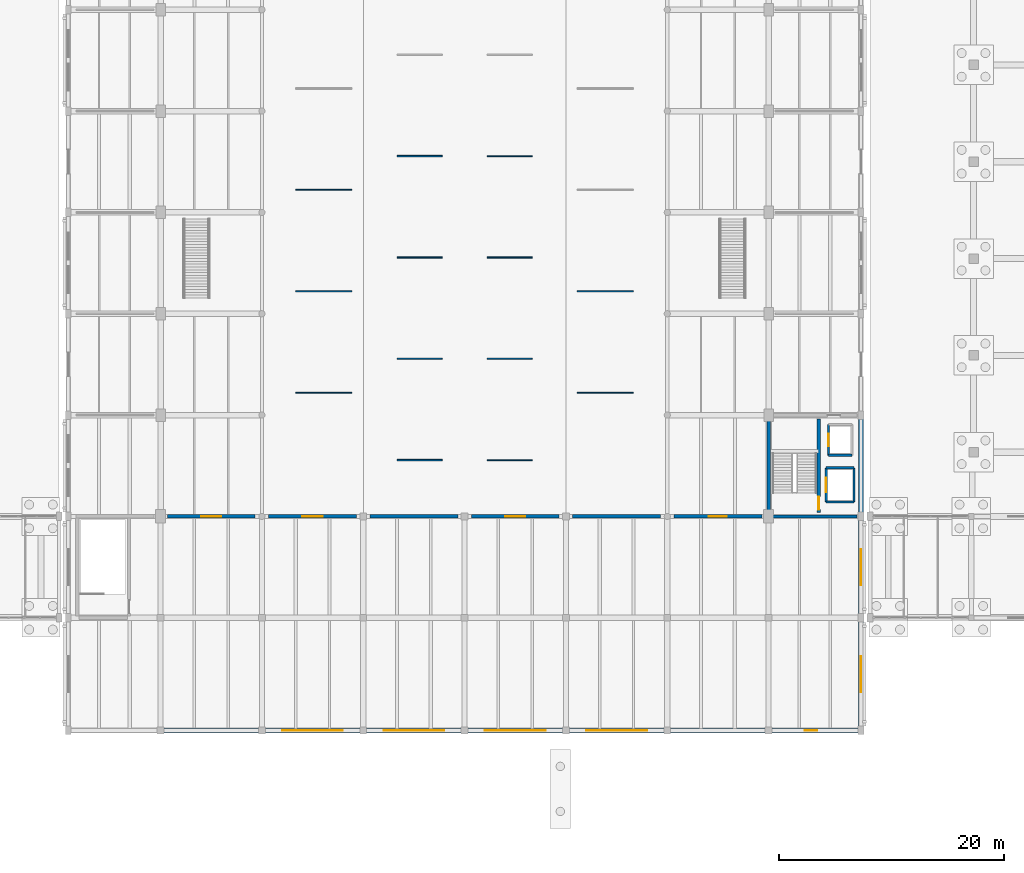
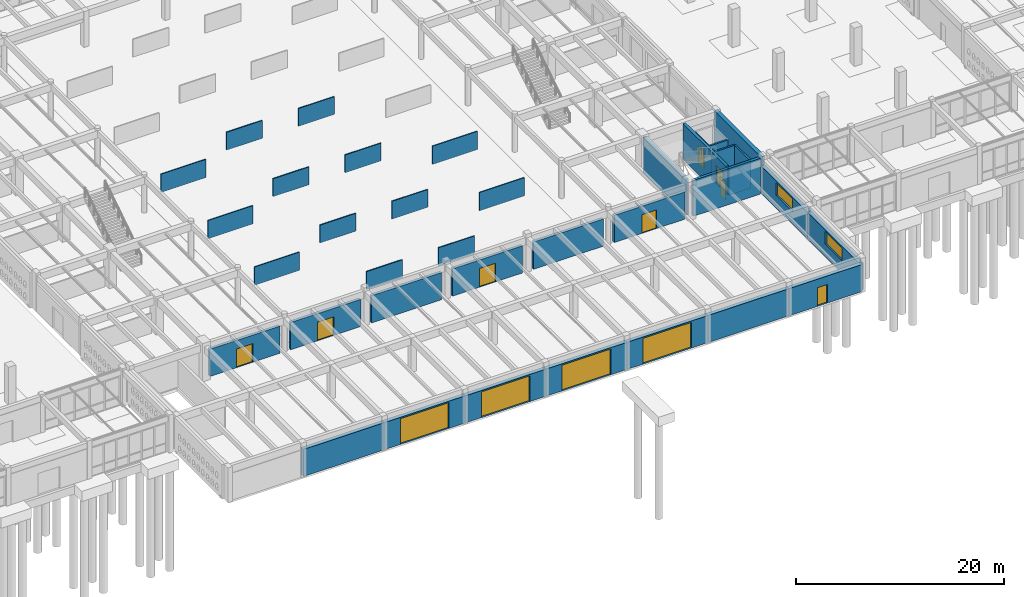
# One storey, part 161 of 186: 38 walls, 12 doors, 2 windows, 14 openings.
"""IFC4 building model written with IfcOpenShell, lengths in metres."""

from ifc_helpers import new_model, si_unit, direction, frame, frame_2d, origin, place, context, subcontext, project, spatial, rectangle, extrude, material, layer, layer_set, type_object, element, fill, save


model = new_model("IFC4")

# Units and contexts
model_context = context("Model", 3, precision=1e-05, world=origin(), true_north=direction((0.0, 1.0)))
body_context = subcontext(model_context, "Body", "Model", "MODEL_VIEW")
ifc_project = project(units=[si_unit("LENGTHUNIT", "METRE"), si_unit("AREAUNIT", "SQUARE_METRE"), si_unit("VOLUMEUNIT", "CUBIC_METRE"), si_unit("PLANEANGLEUNIT", "RADIAN"), si_unit("MASSUNIT", "GRAM", prefix="KILO")], contexts=[model_context])

# Site, building, storey
site_placement = place(None, origin())
site = spatial("IfcSite", under=ifc_project, at=site_placement, CompositionType="ELEMENT")
building_placement = place(site_placement, origin())
building = spatial("IfcBuilding", under=site, at=building_placement, Name="Ornek Quay Market", CompositionType="ELEMENT")
storey_placement = place(building_placement, origin())
storey = spatial("IfcBuildingStorey", under=building, at=storey_placement, Name="L00", CompositionType="ELEMENT", Elevation=0.0)

# Wall, opening, door
ifc_material_1 = material(Name="Concrete C40/50", Category="concrete")
ifc_layer_1 = layer(ifc_material_1, 0.300048828125, Name="Concrete C40/50", Category="concrete")
ifc_layer_set_1 = layer_set([ifc_layer_1], Name="Concrete C40/50")
wall_type_1 = type_object("IfcWallType", Name="WL-CORE-300", PredefinedType="SHEAR", material=ifc_layer_set_1)
wall_1_placement = place(storey_placement, frame((121.449951171875, 29.35009765625, 0.0), z_axis=(0.0, 0.0, 1.0), x_axis=(0.0, 1.0, 0.0)))
wall_1 = element("IfcWall", 1, at=wall_1_placement, inside=storey, type_object=wall_type_1, Name="Interior wall W-CORE1-086", PredefinedType="SHEAR", context=body_context, shape_type="SweptSolid", body=[
    extrude(rectangle(XDim=8.2998046875, YDim=0.300048828125, at=frame_2d((4.14990234375, 0.0))), origin(), (0.0, 0.0, 1.0), 4.219970703125),
])
opening_1_placement = place(wall_1_placement, frame((0.25, 0.0, 0.0)))
opening_1 = element("IfcOpeningElement", 2, at=opening_1_placement, cuts=wall_1, Name="Opening FD-03-034", PredefinedType="OPENING", context=body_context, shape_type="SweptSolid", body=[
    extrude(rectangle(XDim=1.14990234375, YDim=2.14990234375, at=frame_2d((0.574951171875, 1.074951171875))), frame((0.0, 0.159912109375, 0.0), z_axis=(0.0, -1.0, 0.0), x_axis=(1.0, 0.0, 0.0)), (0.0, 0.0, 1.0), 0.320068359375),
])
ifc_material_2 = material(Name="Insulated fire-rated painted steel", Category="steel")
door_type_1 = type_object("IfcDoorType", Name="DR-FIRE-STAIR-1150x2150", OperationType="NOTDEFINED", PredefinedType="DOOR", material=ifc_material_2)
door_1_placement = place(opening_1_placement, origin())
door_1 = element("IfcDoor", 3, at=door_1_placement, inside=storey, type_object=door_type_1, Name="Interior door FD-03-034", OperationType="SINGLE_SWING_LEFT", OverallHeight=2.14990234375, OverallWidth=1.14990234375, PredefinedType="DOOR", context=body_context, shape_type="SweptSolid", body=[
    extrude(rectangle(XDim=1.14990234375, YDim=2.14990234375, at=frame_2d((0.574951171875, 1.074951171875))), frame((0.0, 0.02490234375, 0.0), z_axis=(0.0, -1.0, 0.0), x_axis=(1.0, 0.0, 0.0)), (0.0, 0.0, 1.0), 0.050048828125),
])
fill(opening_1, door_1)

# Walls
wall_2_placement = place(storey_placement, frame((117.0, 29.35009765625, 0.0), z_axis=(0.0, 0.0, 1.0), x_axis=(0.0, 1.0, 0.0)))
element("IfcWall", 4, at=wall_2_placement, inside=storey, type_object=wall_type_1, Name="Interior wall W-CORE1-087", PredefinedType="SHEAR", context=body_context, shape_type="SweptSolid", body=[
    extrude(rectangle(XDim=8.2998046875, YDim=0.300048828125, at=frame_2d((4.14990234375, 0.0))), origin(), (0.0, 0.0, 1.0), 4.219970703125),
])
wall_3_placement = place(storey_placement, frame((117.35009765625, 29.0, 0.0), z_axis=(0.0, 0.0, 1.0), x_axis=(1.0, 0.0, 0.0)))
element("IfcWall", 5, at=wall_3_placement, inside=storey, type_object=wall_type_1, Name="Interior wall W-CORE1-088", PredefinedType="SHEAR", context=body_context, shape_type="SweptSolid", body=[
    extrude(rectangle(XDim=7.5, YDim=0.300048828125, at=frame_2d((3.75, 0.0))), origin(), (0.0, 0.0, 1.0), 4.219970703125),
])
ifc_material_3 = material(Name="Frost-resistant facing clay brick M200 F100", Category="masonry")
ifc_layer_2 = layer(ifc_material_3, 0.419921875, Name="Frost-resistant facing clay brick M200 F100", Category="masonry")
ifc_layer_set_2 = layer_set([ifc_layer_2], Name="Frost-resistant facing clay brick M200 F100")
wall_type_2 = type_object("IfcWallType", Name="WL-EXT-HALL-420", PredefinedType="STANDARD", material=ifc_layer_set_2)
wall_4_placement = place(storey_placement, frame((125.199951171875, 29.0, 0.0), z_axis=(0.0, 0.0, 1.0), x_axis=(0.0, 1.0, 0.0)))
element("IfcWall", 6, at=wall_4_placement, inside=storey, type_object=wall_type_2, Name="Exterior wall EW-120", PredefinedType="STANDARD", context=body_context, shape_type="SweptSolid", body=[
    extrude(rectangle(XDim=9.0, YDim=0.419921875, at=frame_2d((4.5, 0.0))), origin(), (0.0, 0.0, 1.0), 4.239990234375),
])
ifc_material_4 = material(Name="Granite-faced insulated concrete C35/45", Category="masonry")
ifc_layer_3 = layer(ifc_material_4, 0.43994140625, Name="Granite-faced insulated concrete C35/45", Category="masonry")
ifc_layer_set_3 = layer_set([ifc_layer_3], Name="Granite-faced insulated concrete C35/45")
wall_type_3 = type_object("IfcWallType", Name="WL-EXT-PLINTH-440", PredefinedType="STANDARD", material=ifc_layer_set_3)
wall_5_placement = place(storey_placement, frame((63.0, 10.0, 0.0), z_axis=(0.0, 0.0, 1.0), x_axis=(1.0, 0.0, 0.0)))
element("IfcWall", 7, at=wall_5_placement, inside=storey, type_object=wall_type_3, Name="Exterior wall EW-099", PredefinedType="STANDARD", context=body_context, shape_type="SweptSolid", body=[
    extrude(rectangle(XDim=9.0, YDim=0.43994140625, at=frame_2d((4.5, 0.0))), origin(), (0.0, 0.0, 1.0), 3.18994140625),
])

# Wall, opening, door
wall_6_placement = place(storey_placement, frame((72.0, 10.0, 0.0), z_axis=(0.0, 0.0, 1.0), x_axis=(1.0, 0.0, 0.0)))
wall_6 = element("IfcWall", 8, at=wall_6_placement, inside=storey, type_object=wall_type_3, Name="Exterior wall EW-100", PredefinedType="STANDARD", context=body_context, shape_type="SweptSolid", body=[
    extrude(rectangle(XDim=9.0, YDim=0.43994140625, at=frame_2d((4.5, 0.0))), origin(), (0.0, 0.0, 1.0), 3.18994140625),
])
opening_2_placement = place(wall_6_placement, frame((1.800048828125, 0.0, 0.0)))
opening_2 = element("IfcOpeningElement", 9, at=opening_2_placement, cuts=wall_6, Name="Opening SD-02-023", PredefinedType="OPENING", context=body_context, shape_type="SweptSolid", body=[
    extrude(rectangle(XDim=5.39990234375, YDim=3.030029296875, at=frame_2d((2.699951171875, 1.51513671875))), frame((0.0, 0.22998046875, 0.0), z_axis=(0.0, -1.0, 0.0), x_axis=(1.0, 0.0, 0.0)), (0.0, 0.0, 1.0), 0.4599609375),
])
ifc_material_5 = material(Name="Insulated high-speed vehicle portal gate", Category="other")
door_type_2 = type_object("IfcDoorType", Name="DR-GATE-RAMP-5400x3600", OperationType="ROLLINGUP", PredefinedType="GATE", material=ifc_material_5)
door_2_placement = place(opening_2_placement, origin())
door_2 = element("IfcDoor", 10, at=door_2_placement, inside=storey, type_object=door_type_2, Name="Exterior door SD-02-023", OperationType="ROLLINGUP", OverallHeight=3.030029296875, OverallWidth=5.39990234375, PredefinedType="GATE", context=body_context, shape_type="SweptSolid", body=[
    extrude(rectangle(XDim=5.39990234375, YDim=3.030029296875, at=frame_2d((2.699951171875, 1.51513671875))), frame((0.0, 0.02490234375, 0.0), z_axis=(0.0, -1.0, 0.0), x_axis=(1.0, 0.0, 0.0)), (0.0, 0.0, 1.0), 0.050048828125),
])
fill(opening_2, door_2)

wall_7_placement = place(storey_placement, frame((81.0, 10.0, 0.0), z_axis=(0.0, 0.0, 1.0), x_axis=(1.0, 0.0, 0.0)))
wall_7 = element("IfcWall", 11, at=wall_7_placement, inside=storey, type_object=wall_type_3, Name="Exterior wall EW-101", PredefinedType="STANDARD", context=body_context, shape_type="SweptSolid", body=[
    extrude(rectangle(XDim=9.0, YDim=0.43994140625, at=frame_2d((4.5, 0.0))), origin(), (0.0, 0.0, 1.0), 3.18994140625),
])
opening_3_placement = place(wall_7_placement, frame((1.800048828125, 0.0, 0.0)))
opening_3 = element("IfcOpeningElement", 12, at=opening_3_placement, cuts=wall_7, Name="Opening SD-02-024", PredefinedType="OPENING", context=body_context, shape_type="SweptSolid", body=[
    extrude(rectangle(XDim=5.39990234375, YDim=3.030029296875, at=frame_2d((2.699951171875, 1.51513671875))), frame((0.0, 0.22998046875, 0.0), z_axis=(0.0, -1.0, 0.0), x_axis=(1.0, 0.0, 0.0)), (0.0, 0.0, 1.0), 0.4599609375),
])
door_3_placement = place(opening_3_placement, origin())
door_3 = element("IfcDoor", 13, at=door_3_placement, inside=storey, type_object=door_type_2, Name="Exterior door SD-02-024", OperationType="ROLLINGUP", OverallHeight=3.030029296875, OverallWidth=5.39990234375, PredefinedType="GATE", context=body_context, shape_type="SweptSolid", body=[
    extrude(rectangle(XDim=5.39990234375, YDim=3.030029296875, at=frame_2d((2.699951171875, 1.51513671875))), frame((0.0, 0.02490234375, 0.0), z_axis=(0.0, -1.0, 0.0), x_axis=(1.0, 0.0, 0.0)), (0.0, 0.0, 1.0), 0.050048828125),
])
fill(opening_3, door_3)

wall_8_placement = place(storey_placement, frame((90.0, 10.0, 0.0), z_axis=(0.0, 0.0, 1.0), x_axis=(1.0, 0.0, 0.0)))
wall_8 = element("IfcWall", 14, at=wall_8_placement, inside=storey, type_object=wall_type_3, Name="Exterior wall EW-102", PredefinedType="STANDARD", context=body_context, shape_type="SweptSolid", body=[
    extrude(rectangle(XDim=9.0, YDim=0.43994140625, at=frame_2d((4.5, 0.0))), origin(), (0.0, 0.0, 1.0), 3.18994140625),
])
opening_4_placement = place(wall_8_placement, frame((1.800048828125, 0.0, 0.0)))
opening_4 = element("IfcOpeningElement", 15, at=opening_4_placement, cuts=wall_8, Name="Opening SD-02-025", PredefinedType="OPENING", context=body_context, shape_type="SweptSolid", body=[
    extrude(rectangle(XDim=5.39990234375, YDim=3.030029296875, at=frame_2d((2.699951171875, 1.51513671875))), frame((0.0, 0.22998046875, 0.0), z_axis=(0.0, -1.0, 0.0), x_axis=(1.0, 0.0, 0.0)), (0.0, 0.0, 1.0), 0.4599609375),
])
door_4_placement = place(opening_4_placement, origin())
door_4 = element("IfcDoor", 16, at=door_4_placement, inside=storey, type_object=door_type_2, Name="Exterior door SD-02-025", OperationType="ROLLINGUP", OverallHeight=3.030029296875, OverallWidth=5.39990234375, PredefinedType="GATE", context=body_context, shape_type="SweptSolid", body=[
    extrude(rectangle(XDim=5.39990234375, YDim=3.030029296875, at=frame_2d((2.699951171875, 1.51513671875))), frame((0.0, 0.02490234375, 0.0), z_axis=(0.0, -1.0, 0.0), x_axis=(1.0, 0.0, 0.0)), (0.0, 0.0, 1.0), 0.050048828125),
])
fill(opening_4, door_4)

wall_9_placement = place(storey_placement, frame((99.0, 10.0, 0.0), z_axis=(0.0, 0.0, 1.0), x_axis=(1.0, 0.0, 0.0)))
wall_9 = element("IfcWall", 17, at=wall_9_placement, inside=storey, type_object=wall_type_3, Name="Exterior wall EW-103", PredefinedType="STANDARD", context=body_context, shape_type="SweptSolid", body=[
    extrude(rectangle(XDim=9.0, YDim=0.43994140625, at=frame_2d((4.5, 0.0))), origin(), (0.0, 0.0, 1.0), 3.18994140625),
])
opening_5_placement = place(wall_9_placement, frame((1.800048828125, 0.0, 0.0)))
opening_5 = element("IfcOpeningElement", 18, at=opening_5_placement, cuts=wall_9, Name="Opening SD-02-026", PredefinedType="OPENING", context=body_context, shape_type="SweptSolid", body=[
    extrude(rectangle(XDim=5.39990234375, YDim=3.030029296875, at=frame_2d((2.699951171875, 1.51513671875))), frame((0.0, 0.22998046875, 0.0), z_axis=(0.0, -1.0, 0.0), x_axis=(1.0, 0.0, 0.0)), (0.0, 0.0, 1.0), 0.4599609375),
])
door_5_placement = place(opening_5_placement, origin())
door_5 = element("IfcDoor", 19, at=door_5_placement, inside=storey, type_object=door_type_2, Name="Exterior door SD-02-026", OperationType="ROLLINGUP", OverallHeight=3.030029296875, OverallWidth=5.39990234375, PredefinedType="GATE", context=body_context, shape_type="SweptSolid", body=[
    extrude(rectangle(XDim=5.39990234375, YDim=3.030029296875, at=frame_2d((2.699951171875, 1.51513671875))), frame((0.0, 0.02490234375, 0.0), z_axis=(0.0, -1.0, 0.0), x_axis=(1.0, 0.0, 0.0)), (0.0, 0.0, 1.0), 0.050048828125),
])
fill(opening_5, door_5)

# Wall
wall_10_placement = place(storey_placement, frame((108.0, 10.0, 0.0), z_axis=(0.0, 0.0, 1.0), x_axis=(1.0, 0.0, 0.0)))
element("IfcWall", 20, at=wall_10_placement, inside=storey, type_object=wall_type_3, Name="Exterior wall EW-104", PredefinedType="STANDARD", context=body_context, shape_type="SweptSolid", body=[
    extrude(rectangle(XDim=9.0, YDim=0.43994140625, at=frame_2d((4.5, 0.0))), origin(), (0.0, 0.0, 1.0), 3.18994140625),
])

# Wall, opening, door
wall_11_placement = place(storey_placement, frame((117.0, 10.0, 0.0), z_axis=(0.0, 0.0, 1.0), x_axis=(1.0, 0.0, 0.0)))
wall_11 = element("IfcWall", 21, at=wall_11_placement, inside=storey, type_object=wall_type_3, Name="Exterior wall EW-105", PredefinedType="STANDARD", context=body_context, shape_type="SweptSolid", body=[
    extrude(rectangle(XDim=8.199951171875, YDim=0.43994140625, at=frame_2d((4.10009765625, 0.0))), origin(), (0.0, 0.0, 1.0), 3.18994140625),
])
opening_6_placement = place(wall_11_placement, frame((3.199951171875, 0.0, 0.0)))
opening_6 = element("IfcOpeningElement", 22, at=opening_6_placement, cuts=wall_11, Name="Opening ED-05-027", PredefinedType="OPENING", context=body_context, shape_type="SweptSolid", body=[
    extrude(rectangle(XDim=1.10009765625, YDim=2.199951171875, at=frame_2d((0.550048828125, 1.10009765625))), frame((0.0, 0.22998046875, 0.0), z_axis=(0.0, -1.0, 0.0), x_axis=(1.0, 0.0, 0.0)), (0.0, 0.0, 1.0), 0.4599609375),
])
ifc_material_6 = material(Name="Insulated painted steel", Category="steel")
door_type_3 = type_object("IfcDoorType", Name="DR-EXT-SGL-1100x2200", OperationType="NOTDEFINED", PredefinedType="DOOR", material=ifc_material_6)
door_6_placement = place(opening_6_placement, origin())
door_6 = element("IfcDoor", 23, at=door_6_placement, inside=storey, type_object=door_type_3, Name="Exterior door ED-05-027", OperationType="SINGLE_SWING_RIGHT", OverallHeight=2.199951171875, OverallWidth=1.10009765625, PredefinedType="DOOR", context=body_context, shape_type="SweptSolid", body=[
    extrude(rectangle(XDim=1.10009765625, YDim=2.199951171875, at=frame_2d((0.550048828125, 1.10009765625))), frame((0.0, 0.02490234375, 0.0), z_axis=(0.0, -1.0, 0.0), x_axis=(1.0, 0.0, 0.0)), (0.0, 0.0, 1.0), 0.050048828125),
])
fill(opening_6, door_6)

# Wall, opening, window
wall_12_placement = place(storey_placement, frame((125.199951171875, 10.0, 0.0), z_axis=(0.0, 0.0, 1.0), x_axis=(0.0, 1.0, 0.0)))
wall_12 = element("IfcWall", 24, at=wall_12_placement, inside=storey, type_object=wall_type_3, Name="Exterior wall EW-108", PredefinedType="STANDARD", context=body_context, shape_type="SweptSolid", body=[
    extrude(rectangle(XDim=10.0, YDim=0.43994140625, at=frame_2d((5.0, 0.0))), origin(), (0.0, 0.0, 1.0), 3.18994140625),
])
opening_7_placement = place(wall_12_placement, frame((3.39990234375, 0.0, 1.5)))
opening_7 = element("IfcOpeningElement", 25, at=opening_7_placement, cuts=wall_12, Name="Opening W-03-068", PredefinedType="OPENING", context=body_context, shape_type="SweptSolid", body=[
    extrude(rectangle(XDim=3.199951171875, YDim=1.5, at=frame_2d((1.60009765625, 0.75))), frame((0.0, 0.22998046875, 0.0), z_axis=(0.0, -1.0, 0.0), x_axis=(1.0, 0.0, 0.0)), (0.0, 0.0, 1.0), 0.4599609375),
])
ifc_material_7 = material(Name="Thermally broken bronze aluminium and triple low-e glass", Category="aluminium")
window_type = type_object("IfcWindowType", Name="WN-CLER-3200x1500", PartitioningType="TRIPLE_PANEL_VERTICAL", PredefinedType="WINDOW", material=ifc_material_7)
window_1_placement = place(opening_7_placement, origin())
window_1 = element("IfcWindow", 26, at=window_1_placement, inside=storey, type_object=window_type, Name="Window W-03-068", OverallHeight=1.5, OverallWidth=3.199951171875, PartitioningType="SINGLE_PANEL", PredefinedType="WINDOW", context=body_context, shape_type="SweptSolid", body=[
    extrude(rectangle(XDim=3.199951171875, YDim=1.5, at=frame_2d((1.60009765625, 0.75))), frame((0.0, 0.030029296875, 0.0), z_axis=(0.0, -1.0, 0.0), x_axis=(1.0, 0.0, 0.0)), (0.0, 0.0, 1.0), 0.06005859375),
])
fill(opening_7, window_1)

wall_13_placement = place(storey_placement, frame((125.199951171875, 20.0, 0.0), z_axis=(0.0, 0.0, 1.0), x_axis=(0.0, 1.0, 0.0)))
wall_13 = element("IfcWall", 27, at=wall_13_placement, inside=storey, type_object=wall_type_3, Name="Exterior wall EW-109", PredefinedType="STANDARD", context=body_context, shape_type="SweptSolid", body=[
    extrude(rectangle(XDim=9.0, YDim=0.43994140625, at=frame_2d((4.5, 0.0))), origin(), (0.0, 0.0, 1.0), 3.18994140625),
])
opening_8_placement = place(wall_13_placement, frame((2.89990234375, 0.0, 1.5)))
opening_8 = element("IfcOpeningElement", 28, at=opening_8_placement, cuts=wall_13, Name="Opening W-03-069", PredefinedType="OPENING", context=body_context, shape_type="SweptSolid", body=[
    extrude(rectangle(XDim=3.199951171875, YDim=1.5, at=frame_2d((1.60009765625, 0.75))), frame((0.0, 0.22998046875, 0.0), z_axis=(0.0, -1.0, 0.0), x_axis=(1.0, 0.0, 0.0)), (0.0, 0.0, 1.0), 0.4599609375),
])
window_2_placement = place(opening_8_placement, origin())
window_2 = element("IfcWindow", 29, at=window_2_placement, inside=storey, type_object=window_type, Name="Window W-03-069", OverallHeight=1.5, OverallWidth=3.199951171875, PartitioningType="SINGLE_PANEL", PredefinedType="WINDOW", context=body_context, shape_type="SweptSolid", body=[
    extrude(rectangle(XDim=3.199951171875, YDim=1.5, at=frame_2d((1.60009765625, 0.75))), frame((0.0, 0.030029296875, 0.0), z_axis=(0.0, -1.0, 0.0), x_axis=(1.0, 0.0, 0.0)), (0.0, 0.0, 1.0), 0.06005859375),
])
fill(opening_8, window_2)

# Wall, opening, door
ifc_layer_4 = layer(ifc_material_1, 0.320068359375, Name="Concrete C40/50", Category="concrete")
ifc_layer_set_4 = layer_set([ifc_layer_4], Name="Concrete C40/50")
wall_type_4 = type_object("IfcWallType", Name="WL-FIRE-320", PredefinedType="SOLIDWALL", material=ifc_layer_set_4)
wall_14_placement = place(storey_placement, frame((63.60009765625, 29.0, 0.0), z_axis=(0.0, 0.0, 1.0), x_axis=(1.0, 0.0, 0.0)))
wall_14 = element("IfcWall", 30, at=wall_14_placement, inside=storey, type_object=wall_type_4, Name="Interior wall W-FIRE1-267", PredefinedType="SOLIDWALL", context=body_context, shape_type="SweptSolid", body=[
    extrude(rectangle(XDim=7.7998046875, YDim=0.320068359375, at=frame_2d((3.89990234375, 0.0))), origin(), (0.0, 0.0, 1.0), 3.199951171875),
])
opening_9_placement = place(wall_14_placement, frame((3.0, 0.0, 0.0)))
opening_9 = element("IfcOpeningElement", 31, at=opening_9_placement, cuts=wall_14, Name="Opening FD-01-123", PredefinedType="OPENING", context=body_context, shape_type="SweptSolid", body=[
    extrude(rectangle(XDim=1.800048828125, YDim=2.199951171875, at=frame_2d((0.89990234375, 1.10009765625))), frame((0.0, 0.169921875, 0.0), z_axis=(0.0, -1.0, 0.0), x_axis=(1.0, 0.0, 0.0)), (0.0, 0.0, 1.0), 0.340087890625),
])
door_type_4 = type_object("IfcDoorType", Name="DR-FIRE-DBL-1800x2200", OperationType="DOUBLE_DOOR_SINGLE_SWING", PredefinedType="DOOR", material=ifc_material_2)
door_7_placement = place(opening_9_placement, origin())
door_7 = element("IfcDoor", 32, at=door_7_placement, inside=storey, type_object=door_type_4, Name="Interior door FD-01-123", OperationType="DOUBLE_DOOR_SINGLE_SWING", OverallHeight=2.199951171875, OverallWidth=1.800048828125, PredefinedType="DOOR", context=body_context, shape_type="SweptSolid", body=[
    extrude(rectangle(XDim=1.800048828125, YDim=2.199951171875, at=frame_2d((0.89990234375, 1.10009765625))), frame((0.0, 0.02490234375, 0.0), z_axis=(0.0, -1.0, 0.0), x_axis=(1.0, 0.0, 0.0)), (0.0, 0.0, 1.0), 0.050048828125),
])
fill(opening_9, door_7)

wall_15_placement = place(storey_placement, frame((72.60009765625, 29.0, 0.0), z_axis=(0.0, 0.0, 1.0), x_axis=(1.0, 0.0, 0.0)))
wall_15 = element("IfcWall", 33, at=wall_15_placement, inside=storey, type_object=wall_type_4, Name="Interior wall W-FIRE1-268", PredefinedType="SOLIDWALL", context=body_context, shape_type="SweptSolid", body=[
    extrude(rectangle(XDim=7.7998046875, YDim=0.320068359375, at=frame_2d((3.89990234375, 0.0))), origin(), (0.0, 0.0, 1.0), 3.199951171875),
])
opening_10_placement = place(wall_15_placement, frame((3.0, 0.0, 0.0)))
opening_10 = element("IfcOpeningElement", 34, at=opening_10_placement, cuts=wall_15, Name="Opening FD-01-124", PredefinedType="OPENING", context=body_context, shape_type="SweptSolid", body=[
    extrude(rectangle(XDim=1.800048828125, YDim=2.199951171875, at=frame_2d((0.89990234375, 1.10009765625))), frame((0.0, 0.169921875, 0.0), z_axis=(0.0, -1.0, 0.0), x_axis=(1.0, 0.0, 0.0)), (0.0, 0.0, 1.0), 0.340087890625),
])
door_8_placement = place(opening_10_placement, origin())
door_8 = element("IfcDoor", 35, at=door_8_placement, inside=storey, type_object=door_type_4, Name="Interior door FD-01-124", OperationType="DOUBLE_DOOR_SINGLE_SWING", OverallHeight=2.199951171875, OverallWidth=1.800048828125, PredefinedType="DOOR", context=body_context, shape_type="SweptSolid", body=[
    extrude(rectangle(XDim=1.800048828125, YDim=2.199951171875, at=frame_2d((0.89990234375, 1.10009765625))), frame((0.0, 0.02490234375, 0.0), z_axis=(0.0, -1.0, 0.0), x_axis=(1.0, 0.0, 0.0)), (0.0, 0.0, 1.0), 0.050048828125),
])
fill(opening_10, door_8)

# Wall
wall_16_placement = place(storey_placement, frame((81.60009765625, 29.0, 0.0), z_axis=(0.0, 0.0, 1.0), x_axis=(1.0, 0.0, 0.0)))
element("IfcWall", 36, at=wall_16_placement, inside=storey, type_object=wall_type_4, Name="Interior wall W-FIRE1-269", PredefinedType="SOLIDWALL", context=body_context, shape_type="SweptSolid", body=[
    extrude(rectangle(XDim=7.7998046875, YDim=0.320068359375, at=frame_2d((3.89990234375, 0.0))), origin(), (0.0, 0.0, 1.0), 3.199951171875),
])

# Wall, opening, door
wall_17_placement = place(storey_placement, frame((90.60009765625, 29.0, 0.0), z_axis=(0.0, 0.0, 1.0), x_axis=(1.0, 0.0, 0.0)))
wall_17 = element("IfcWall", 37, at=wall_17_placement, inside=storey, type_object=wall_type_4, Name="Interior wall W-FIRE1-270", PredefinedType="SOLIDWALL", context=body_context, shape_type="SweptSolid", body=[
    extrude(rectangle(XDim=7.7998046875, YDim=0.320068359375, at=frame_2d((3.89990234375, 0.0))), origin(), (0.0, 0.0, 1.0), 3.199951171875),
])
opening_11_placement = place(wall_17_placement, frame((3.0, 0.0, 0.0)))
opening_11 = element("IfcOpeningElement", 38, at=opening_11_placement, cuts=wall_17, Name="Opening FD-01-125", PredefinedType="OPENING", context=body_context, shape_type="SweptSolid", body=[
    extrude(rectangle(XDim=1.800048828125, YDim=2.199951171875, at=frame_2d((0.89990234375, 1.10009765625))), frame((0.0, 0.169921875, 0.0), z_axis=(0.0, -1.0, 0.0), x_axis=(1.0, 0.0, 0.0)), (0.0, 0.0, 1.0), 0.340087890625),
])
door_9_placement = place(opening_11_placement, origin())
door_9 = element("IfcDoor", 39, at=door_9_placement, inside=storey, type_object=door_type_4, Name="Interior door FD-01-125", OperationType="DOUBLE_DOOR_SINGLE_SWING", OverallHeight=2.199951171875, OverallWidth=1.800048828125, PredefinedType="DOOR", context=body_context, shape_type="SweptSolid", body=[
    extrude(rectangle(XDim=1.800048828125, YDim=2.199951171875, at=frame_2d((0.89990234375, 1.10009765625))), frame((0.0, 0.02490234375, 0.0), z_axis=(0.0, -1.0, 0.0), x_axis=(1.0, 0.0, 0.0)), (0.0, 0.0, 1.0), 0.050048828125),
])
fill(opening_11, door_9)

# Wall
wall_18_placement = place(storey_placement, frame((99.60009765625, 29.0, 0.0), z_axis=(0.0, 0.0, 1.0), x_axis=(1.0, 0.0, 0.0)))
element("IfcWall", 40, at=wall_18_placement, inside=storey, type_object=wall_type_4, Name="Interior wall W-FIRE1-271", PredefinedType="SOLIDWALL", context=body_context, shape_type="SweptSolid", body=[
    extrude(rectangle(XDim=7.7998046875, YDim=0.320068359375, at=frame_2d((3.89990234375, 0.0))), origin(), (0.0, 0.0, 1.0), 3.199951171875),
])

# Wall, opening, door
wall_19_placement = place(storey_placement, frame((108.60009765625, 29.0, 0.0), z_axis=(0.0, 0.0, 1.0), x_axis=(1.0, 0.0, 0.0)))
wall_19 = element("IfcWall", 41, at=wall_19_placement, inside=storey, type_object=wall_type_4, Name="Interior wall W-FIRE1-272", PredefinedType="SOLIDWALL", context=body_context, shape_type="SweptSolid", body=[
    extrude(rectangle(XDim=7.7998046875, YDim=0.320068359375, at=frame_2d((3.89990234375, 0.0))), origin(), (0.0, 0.0, 1.0), 3.199951171875),
])
opening_12_placement = place(wall_19_placement, frame((3.10009765625, 0.0, 0.0)))
opening_12 = element("IfcOpeningElement", 42, at=opening_12_placement, cuts=wall_19, Name="Opening FD-02-126", PredefinedType="OPENING", context=body_context, shape_type="SweptSolid", body=[
    extrude(rectangle(XDim=1.60009765625, YDim=2.199951171875, at=frame_2d((0.800048828125, 1.10009765625))), frame((0.0, 0.169921875, 0.0), z_axis=(0.0, -1.0, 0.0), x_axis=(1.0, 0.0, 0.0)), (0.0, 0.0, 1.0), 0.340087890625),
])
door_type_5 = type_object("IfcDoorType", Name="DR-FIRE-DBL-1600x2200", OperationType="DOUBLE_DOOR_SINGLE_SWING", PredefinedType="DOOR", material=ifc_material_2)
door_10_placement = place(opening_12_placement, origin())
door_10 = element("IfcDoor", 43, at=door_10_placement, inside=storey, type_object=door_type_5, Name="Interior door FD-02-126", OperationType="DOUBLE_DOOR_SINGLE_SWING", OverallHeight=2.199951171875, OverallWidth=1.60009765625, PredefinedType="DOOR", context=body_context, shape_type="SweptSolid", body=[
    extrude(rectangle(XDim=1.60009765625, YDim=2.199951171875, at=frame_2d((0.800048828125, 1.10009765625))), frame((0.0, 0.02490234375, 0.0), z_axis=(0.0, -1.0, 0.0), x_axis=(1.0, 0.0, 0.0)), (0.0, 0.0, 1.0), 0.050048828125),
])
fill(opening_12, door_10)

ifc_material_8 = material(Name="Concrete C35/45", Category="concrete")
ifc_layer_5 = layer(ifc_material_8, 0.199951171875, Name="Concrete C35/45", Category="concrete")
ifc_layer_set_5 = layer_set([ifc_layer_5], Name="Concrete C35/45")
wall_type_5 = type_object("IfcWallType", Name="WL-SHAFT-200", PredefinedType="SOLIDWALL", material=ifc_layer_set_5)
wall_20_placement = place(storey_placement, frame((122.110107421875, 30.280029296875, 0.0), z_axis=(0.0, 0.0, 1.0), x_axis=(0.0, 1.0, 0.0)))
wall_20 = element("IfcWall", 44, at=wall_20_placement, inside=storey, type_object=wall_type_5, Name="Interior wall W-CORE3-090", PredefinedType="SOLIDWALL", context=body_context, shape_type="SweptSolid", body=[
    extrude(rectangle(XDim=3.0400390625, YDim=0.199951171875, at=frame_2d((1.52001953125, 0.0))), origin(), (0.0, 0.0, 1.0), 3.199951171875),
])
opening_13_placement = place(wall_20_placement, frame((0.8701171875, 0.0, 0.0)))
opening_13 = element("IfcOpeningElement", 45, at=opening_13_placement, cuts=wall_20, Name="Opening LD-02-036", PredefinedType="OPENING", context=body_context, shape_type="SweptSolid", body=[
    extrude(rectangle(XDim=1.300048828125, YDim=2.199951171875, at=frame_2d((0.64990234375, 1.10009765625))), frame((0.0, 0.10986328125, 0.0), z_axis=(0.0, -1.0, 0.0), x_axis=(1.0, 0.0, 0.0)), (0.0, 0.0, 1.0), 0.219970703125),
])
ifc_material_9 = material(Name="Brushed stainless steel goods lift door", Category="steel")
door_type_6 = type_object("IfcDoorType", Name="DR-LIFT-1300x2200", OperationType="DOUBLE_DOOR_SLIDING", PredefinedType="DOOR", material=ifc_material_9)
door_11_placement = place(opening_13_placement, origin())
door_11 = element("IfcDoor", 46, at=door_11_placement, inside=storey, type_object=door_type_6, Name="Interior door LD-02-036", OperationType="DOUBLE_DOOR_SLIDING", OverallHeight=2.199951171875, OverallWidth=1.300048828125, PredefinedType="DOOR", context=body_context, shape_type="SweptSolid", body=[
    extrude(rectangle(XDim=1.300048828125, YDim=2.199951171875, at=frame_2d((0.64990234375, 1.10009765625))), frame((0.0, 0.02490234375, 0.0), z_axis=(0.0, -1.0, 0.0), x_axis=(1.0, 0.0, 0.0)), (0.0, 0.0, 1.0), 0.050048828125),
])
fill(opening_13, door_11)

# Walls
for number, where, z_axis, x_axis, name in (
    (47, (122.110107421875, 30.280029296875, 0.0), (0.0, 0.0, 1.0), (1.0, 0.0, 0.0), "Interior wall W-CORE3-091"),
    (48, (122.110107421875, 33.320068359375, 0.0), (0.0, 0.0, 1.0), (1.0, 0.0, 0.0), "Interior wall W-CORE3-092"),
):
    element("IfcWall", number, at=place(storey_placement, frame(where, z_axis=z_axis, x_axis=x_axis)), inside=storey, type_object=wall_type_5, Name=name, PredefinedType="SOLIDWALL", context=body_context, shape_type="SweptSolid", body=[
        extrude(rectangle(XDim=2.47998046875, YDim=0.199951171875, at=frame_2d((1.239990234375, 0.0))), origin(), (0.0, 0.0, 1.0), 3.199951171875),
    ])
wall_21_placement = place(storey_placement, frame((124.590087890625, 30.280029296875, 0.0), z_axis=(0.0, 0.0, 1.0), x_axis=(0.0, 1.0, 0.0)))
element("IfcWall", 49, at=wall_21_placement, inside=storey, type_object=wall_type_5, Name="Interior wall W-CORE3-093", PredefinedType="SOLIDWALL", context=body_context, shape_type="SweptSolid", body=[
    extrude(rectangle(XDim=3.0400390625, YDim=0.199951171875, at=frame_2d((1.52001953125, 0.0))), origin(), (0.0, 0.0, 1.0), 3.199951171875),
])

# Wall, opening, door
wall_22_placement = place(storey_placement, frame((122.31005859375, 34.429931640625, 0.0), z_axis=(0.0, 0.0, 1.0), x_axis=(0.0, 1.0, 0.0)))
wall_22 = element("IfcWall", 50, at=wall_22_placement, inside=storey, type_object=wall_type_5, Name="Interior wall W-CORE3-094", PredefinedType="SOLIDWALL", context=body_context, shape_type="SweptSolid", body=[
    extrude(rectangle(XDim=2.739990234375, YDim=0.199951171875, at=frame_2d((1.3701171875, 0.0))), origin(), (0.0, 0.0, 1.0), 3.199951171875),
])
opening_14_placement = place(wall_22_placement, frame((0.820068359375, 0.0, 0.0)))
opening_14 = element("IfcOpeningElement", 51, at=opening_14_placement, cuts=wall_22, Name="Opening LD-01-037", PredefinedType="OPENING", context=body_context, shape_type="SweptSolid", body=[
    extrude(rectangle(XDim=1.10009765625, YDim=2.10009765625, at=frame_2d((0.550048828125, 1.050048828125))), frame((0.0, 0.10986328125, 0.0), z_axis=(0.0, -1.0, 0.0), x_axis=(1.0, 0.0, 0.0)), (0.0, 0.0, 1.0), 0.219970703125),
])
ifc_material_10 = material(Name="Brushed stainless steel landing door", Category="steel")
door_type_7 = type_object("IfcDoorType", Name="DR-LIFT-1100x2100", OperationType="SLIDING_TO_LEFT", PredefinedType="DOOR", material=ifc_material_10)
door_12_placement = place(opening_14_placement, origin())
door_12 = element("IfcDoor", 52, at=door_12_placement, inside=storey, type_object=door_type_7, Name="Interior door LD-01-037", OperationType="SLIDING_TO_LEFT", OverallHeight=2.10009765625, OverallWidth=1.10009765625, PredefinedType="DOOR", context=body_context, shape_type="SweptSolid", body=[
    extrude(rectangle(XDim=1.10009765625, YDim=2.10009765625, at=frame_2d((0.550048828125, 1.050048828125))), frame((0.0, 0.02490234375, 0.0), z_axis=(0.0, -1.0, 0.0), x_axis=(1.0, 0.0, 0.0)), (0.0, 0.0, 1.0), 0.050048828125),
])
fill(opening_14, door_12)

# Walls
wall_23_placement = place(storey_placement, frame((122.31005859375, 34.429931640625, 0.0), z_axis=(0.0, 0.0, 1.0), x_axis=(1.0, 0.0, 0.0)))
element("IfcWall", 53, at=wall_23_placement, inside=storey, type_object=wall_type_5, Name="Interior wall W-CORE3-095", PredefinedType="SOLIDWALL", context=body_context, shape_type="SweptSolid", body=[
    extrude(rectangle(XDim=2.079833984375, YDim=0.199951171875, at=frame_2d((1.0400390625, 0.0))), origin(), (0.0, 0.0, 1.0), 3.199951171875),
])
ifc_material_11 = material(Name="Demountable timber-framed stall partition", Category="wood")
ifc_layer_6 = layer(ifc_material_11, 0.10009765625, Name="Demountable timber-framed stall partition", Category="wood")
ifc_layer_set_6 = layer_set([ifc_layer_6], Name="Demountable timber-framed stall partition")
wall_type_6 = type_object("IfcWallType", Name="WL-STALL-100", PredefinedType="PARTITIONING", material=ifc_layer_set_6)
for number, where, z_axis, x_axis, name in (
    (54, (75.0, 40.0, 0.0), (0.0, 0.0, 1.0), (1.0, 0.0, 0.0), "Interior wall W-STL2-274"),
    (55, (100.0, 40.0, 0.0), (0.0, 0.0, 1.0), (1.0, 0.0, 0.0), "Interior wall W-STL2-275"),
    (56, (75.0, 49.0, 0.0), (0.0, 0.0, 1.0), (1.0, 0.0, 0.0), "Interior wall W-STL2-278"),
    (57, (100.0, 49.0, 0.0), (0.0, 0.0, 1.0), (1.0, 0.0, 0.0), "Interior wall W-STL2-279"),
    (58, (75.0, 58.0, 0.0), (0.0, 0.0, 1.0), (1.0, 0.0, 0.0), "Interior wall W-STL2-282"),
):
    element("IfcWall", number, at=place(storey_placement, frame(where, z_axis=z_axis, x_axis=x_axis)), inside=storey, type_object=wall_type_6, Name=name, PredefinedType="PARTITIONING", context=body_context, shape_type="SweptSolid", body=[
        extrude(rectangle(XDim=5.0, YDim=0.10009765625, at=frame_2d((2.5, 0.0))), origin(), (0.0, 0.0, 1.0), 2.14990234375),
    ])
for number, where, z_axis, x_axis, name in (
    (59, (92.0, 34.0, 0.0), (0.0, 0.0, 1.0), (1.0, 0.0, 0.0), "Interior wall W-STL2-362"),
    (60, (92.0, 43.0, 0.0), (0.0, 0.0, 1.0), (1.0, 0.0, 0.0), "Interior wall W-STL2-364"),
    (61, (92.0, 52.0, 0.0), (0.0, 0.0, 1.0), (1.0, 0.0, 0.0), "Interior wall W-STL2-366"),
    (62, (92.0, 61.0, 0.0), (0.0, 0.0, 1.0), (1.0, 0.0, 0.0), "Interior wall W-STL2-368"),
):
    element("IfcWall", number, at=place(storey_placement, frame(where, z_axis=z_axis, x_axis=x_axis)), inside=storey, type_object=wall_type_6, Name=name, PredefinedType="PARTITIONING", context=body_context, shape_type="SweptSolid", body=[
        extrude(rectangle(XDim=4.0, YDim=0.10009765625, at=frame_2d((2.0, 0.0))), origin(), (0.0, 0.0, 1.0), 2.10009765625),
    ])
ifc_material_12 = material(Name="Fair-faced brick stall divider wall", Category="masonry")
ifc_layer_7 = layer(ifc_material_12, 0.114990234375, Name="Fair-faced brick stall divider wall", Category="masonry")
ifc_layer_set_7 = layer_set([ifc_layer_7], Name="Fair-faced brick stall divider wall")
wall_type_7 = type_object("IfcWallType", Name="WL-STALL-115", PredefinedType="PARTITIONING", material=ifc_layer_set_7)
for number, where, z_axis, x_axis, name in (
    (63, (84.0, 34.0, 0.0), (0.0, 0.0, 1.0), (1.0, 0.0, 0.0), "Interior wall W-STL1-361"),
    (64, (84.0, 43.0, 0.0), (0.0, 0.0, 1.0), (1.0, 0.0, 0.0), "Interior wall W-STL1-363"),
    (65, (84.0, 52.0, 0.0), (0.0, 0.0, 1.0), (1.0, 0.0, 0.0), "Interior wall W-STL1-365"),
    (66, (84.0, 61.0, 0.0), (0.0, 0.0, 1.0), (1.0, 0.0, 0.0), "Interior wall W-STL1-367"),
):
    element("IfcWall", number, at=place(storey_placement, frame(where, z_axis=z_axis, x_axis=x_axis)), inside=storey, type_object=wall_type_7, Name=name, PredefinedType="PARTITIONING", context=body_context, shape_type="SweptSolid", body=[
        extrude(rectangle(XDim=4.0, YDim=0.114990234375, at=frame_2d((2.0, 0.0))), origin(), (0.0, 0.0, 1.0), 2.10009765625),
    ])

save(model, "model.ifc")
